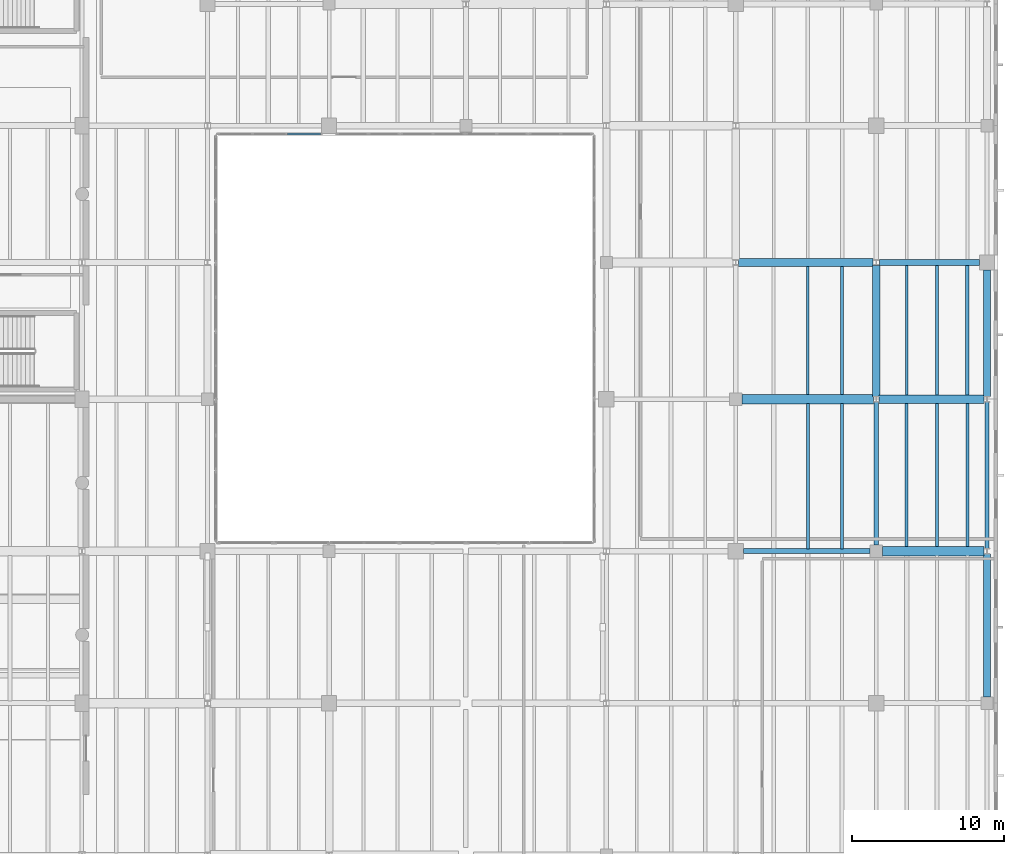
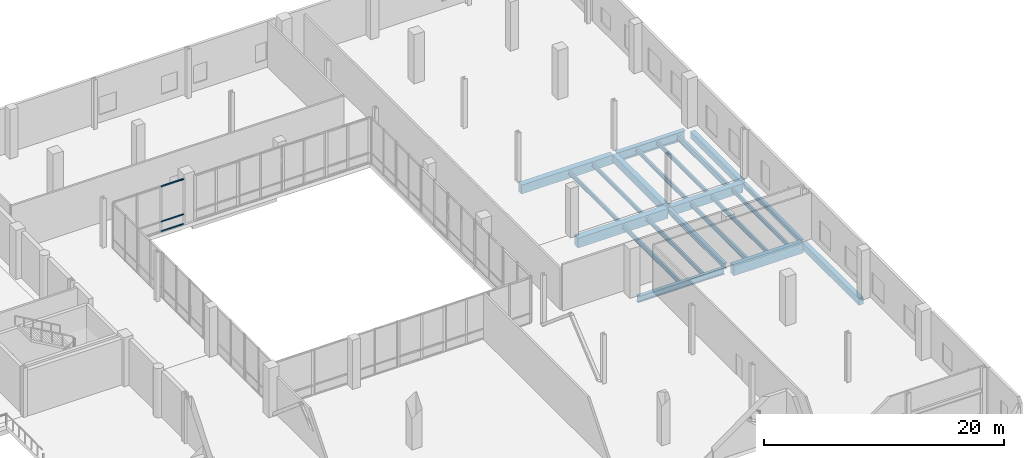
# One storey, part 56 of 88: 21 beams, 3 members, 1 element without a shape of its own.
"""IFC4 building model written with IfcOpenShell, lengths in metres."""

from ifc_helpers import new_model, si_unit, direction, frame, origin, origin_2d, place, context, subcontext, project, spatial, rectangle, i_section, extrude, material, material_profile, profile_set, type_object, element, aggregate, save


model = new_model("IFC4")

# Units and contexts
model_context = context("Model", 3, precision=1e-05, world=origin(), true_north=direction((0.0, 1.0)))
body_context = subcontext(model_context, "Body", "Model", "MODEL_VIEW")
ifc_project = project(units=[si_unit("LENGTHUNIT", "METRE"), si_unit("AREAUNIT", "SQUARE_METRE"), si_unit("VOLUMEUNIT", "CUBIC_METRE"), si_unit("PLANEANGLEUNIT", "RADIAN"), si_unit("MASSUNIT", "GRAM", prefix="KILO")], contexts=[model_context])

# Site, building, storey
site_placement = place(None, origin())
site = spatial("IfcSite", under=ifc_project, at=site_placement, CompositionType="ELEMENT")
building_placement = place(site_placement, origin())
building = spatial("IfcBuilding", under=site, at=building_placement, Name="Trimount Lyric Opera House", CompositionType="ELEMENT")
storey_placement = place(building_placement, origin())
storey = spatial("IfcBuildingStorey", under=building, at=storey_placement, Name="L00", CompositionType="ELEMENT", Elevation=0.0)

# Beams
ifc_material_1 = material(Name="Steel ASTM A992 Grade 50", Category="steel")
ifc_material_profile_1 = material_profile(ifc_material_1, i_section(OverallWidth=0.4189453125, OverallDepth=0.927001953125, WebThickness=0.019287109375, FlangeThickness=0.031982421875, FilletRadius=0.02392578125, at=origin_2d()), Name="W36X231")
ifc_profile_set_1 = profile_set([ifc_material_profile_1], Name="Steel ASTM A992 Grade 50")
beam_type_1 = type_object("IfcBeamType", Name="B-02", PredefinedType="BEAM", material=ifc_profile_set_1)
beam_1_placement = place(storey_placement, frame((166.199462890625, 93.0, -0.843505859375), z_axis=(1.0, 0.0, 0.0), x_axis=(0.0, 1.0, 0.0)))
element("IfcBeam", 1, at=beam_1_placement, inside=storey, type_object=beam_type_1, Name="L00 girder X-0185", PredefinedType="BEAM", context=body_context, shape_type="SweptSolid", body=[
    extrude(i_section(OverallWidth=0.4189453125, OverallDepth=0.927001953125, WebThickness=0.019287109375, FlangeThickness=0.031982421875, FilletRadius=0.02392578125, at=origin_2d()), origin(), (0.0, 0.0, 1.0), 6.58056640625),
])
ifc_material_2 = material(Name="Steel ASTM A992 Grade 50", Category="steel")
ifc_material_profile_2 = material_profile(ifc_material_2, i_section(OverallWidth=0.327880859375, OverallDepth=0.626953125, WebThickness=0.0166015625, FlangeThickness=0.027587890625, FilletRadius=0.01611328125, at=origin_2d()), Name="W24X146")
ifc_profile_set_2 = profile_set([ifc_material_profile_2], Name="Steel ASTM A992 Grade 50")
beam_type_2 = type_object("IfcBeamType", Name="B-10", PredefinedType="BEAM", material=ifc_profile_set_2)
beam_2_placement = place(storey_placement, frame((157.260009765625, 74.0, -0.693603515625), z_axis=(1.0, 0.0, 0.0), x_axis=(0.0, 1.0, 0.0)))
element("IfcBeam", 2, at=beam_2_placement, inside=storey, type_object=beam_type_2, Name="L00 girder X-0158", PredefinedType="BEAM", context=body_context, shape_type="SweptSolid", body=[
    extrude(i_section(OverallWidth=0.327880859375, OverallDepth=0.626953125, WebThickness=0.0166015625, FlangeThickness=0.027587890625, FilletRadius=0.01611328125, at=origin_2d()), origin(), (0.0, 0.0, 1.0), 8.340087890625),
])
ifc_material_3 = material(Name="Steel ASTM A992 Grade 50", Category="steel")
ifc_material_profile_3 = material_profile(ifc_material_3, i_section(OverallWidth=0.31201171875, OverallDepth=0.5458984375, WebThickness=0.013916015625, FlangeThickness=0.022216796875, FilletRadius=0.014892578125, at=origin_2d()), Name="W21X111")
ifc_profile_set_3 = profile_set([ifc_material_profile_3], Name="Steel ASTM A992 Grade 50")
beam_type_3 = type_object("IfcBeamType", Name="B-12", PredefinedType="BEAM", material=ifc_profile_set_3)
beam_3_placement = place(storey_placement, frame((166.0, 74.39990234375, -0.653076171875), z_axis=(0.0, 1.0, 0.0), x_axis=(-1.0, 0.0, 0.0)))
element("IfcBeam", 3, at=beam_3_placement, inside=storey, type_object=beam_type_3, Name="L00 girder Y-0447", PredefinedType="BEAM", context=body_context, shape_type="SweptSolid", body=[
    extrude(i_section(OverallWidth=0.31201171875, OverallDepth=0.5458984375, WebThickness=0.013916015625, FlangeThickness=0.022216796875, FilletRadius=0.014892578125, at=origin_2d()), origin(), (0.0, 0.0, 1.0), 9.416015625),
])
ifc_material_4 = material(Name="Concrete C40/50", Category="concrete")
ifc_material_profile_4 = material_profile(ifc_material_4, rectangle(XDim=0.60009765625, YDim=1.0, at=origin_2d()), Name="RC600X1000")
ifc_profile_set_4 = profile_set([ifc_material_profile_4], Name="Concrete C40/50")
beam_type_4 = type_object("IfcBeamType", Name="B-13", PredefinedType="BEAM", material=ifc_profile_set_4)
beam_4_placement = place(storey_placement, frame((166.39990234375, 74.0, -0.8798828125), z_axis=(1.0, 0.0, 0.0), x_axis=(0.0, 1.0, 0.0)))
element("IfcBeam", 4, at=beam_4_placement, inside=storey, type_object=beam_type_4, Name="L00 girder X-0159", PredefinedType="BEAM", context=body_context, shape_type="SweptSolid", body=[
    extrude(rectangle(XDim=0.60009765625, YDim=1.0, at=origin_2d()), origin(), (0.0, 0.0, 1.0), 6.693603515625),
])
beam_5_placement = place(storey_placement, frame((157.159912109375, 84.0, -0.8798828125), z_axis=(1.0, 0.0, 0.0), x_axis=(0.0, 1.0, 0.0)))
element("IfcBeam", 5, at=beam_5_placement, inside=storey, type_object=beam_type_4, Name="L00 girder X-0171", PredefinedType="BEAM", context=body_context, shape_type="SweptSolid", body=[
    extrude(rectangle(XDim=0.60009765625, YDim=1.0, at=origin_2d()), origin(), (0.0, 0.0, 1.0), 8.653564453125),
])
ifc_material_5 = material(Name="Concrete C40/50", Category="concrete")
ifc_material_profile_5 = material_profile(ifc_material_5, rectangle(XDim=0.550048828125, YDim=0.89990234375, at=origin_2d()), Name="RC550X900")
ifc_profile_set_5 = profile_set([ifc_material_profile_5], Name="Concrete C40/50")
beam_type_5 = type_object("IfcBeamType", Name="B-14", PredefinedType="BEAM", material=ifc_profile_set_5)
beam_6_placement = place(storey_placement, frame((166.1865234375, 84.0, -0.830078125), z_axis=(1.0, 0.0, 0.0), x_axis=(0.0, 1.0, 0.0)))
element("IfcBeam", 6, at=beam_6_placement, inside=storey, type_object=beam_type_5, Name="L00 girder X-0172", PredefinedType="BEAM", context=body_context, shape_type="SweptSolid", body=[
    extrude(rectangle(XDim=0.550048828125, YDim=0.89990234375, at=origin_2d()), origin(), (0.0, 0.0, 1.0), 6.89404296875),
])
beam_7_placement = place(storey_placement, frame((156.946533203125, 93.0, -0.830078125), z_axis=(1.0, 0.0, 0.0), x_axis=(0.0, 1.0, 0.0)))
element("IfcBeam", 7, at=beam_7_placement, inside=storey, type_object=beam_type_5, Name="L00 girder X-0184", PredefinedType="BEAM", context=body_context, shape_type="SweptSolid", body=[
    extrude(rectangle(XDim=0.550048828125, YDim=0.89990234375, at=origin_2d()), origin(), (0.0, 0.0, 1.0), 8.85400390625),
])
ifc_material_6 = material(Name="Concrete C40/50", Category="concrete")
ifc_material_profile_6 = material_profile(ifc_material_6, rectangle(XDim=0.5, YDim=0.800048828125, at=origin_2d()), Name="RC500X800")
ifc_profile_set_6 = profile_set([ifc_material_profile_6], Name="Concrete C40/50")
beam_type_6 = type_object("IfcBeamType", Name="B-15", PredefinedType="BEAM", material=ifc_profile_set_6)
beam_8_placement = place(storey_placement, frame((166.0, 84.18408203125, -0.780029296875), z_axis=(0.0, 1.0, 0.0), x_axis=(-1.0, 0.0, 0.0)))
element("IfcBeam", 8, at=beam_8_placement, inside=storey, type_object=beam_type_6, Name="L00 girder Y-0448", PredefinedType="BEAM", context=body_context, shape_type="SweptSolid", body=[
    extrude(rectangle(XDim=0.5, YDim=0.800048828125, at=origin_2d()), origin(), (0.0, 0.0, 1.0), 8.622802734375),
])
ifc_material_7 = material(Name="Steel ASTM A992 Grade 50", Category="steel")
ifc_material_profile_7 = material_profile(ifc_material_7, i_section(OverallWidth=0.22802734375, OverallDepth=0.60205078125, WebThickness=0.010498046875, FlangeThickness=0.014892578125, FilletRadius=0.012939453125, at=origin_2d()), Name="W24X68")
ifc_profile_set_7 = profile_set([ifc_material_profile_7], Name="Steel ASTM A992 Grade 50")
beam_type_7 = type_object("IfcBeamType", Name="J-01", PredefinedType="BEAM", material=ifc_profile_set_7)
beam_9_placement = place(storey_placement, frame((172.0, 84.27099609375, -0.680908203125), z_axis=(0.0, 1.0, 0.0), x_axis=(-1.0, 0.0, 0.0)))
element("IfcBeam", 9, at=beam_9_placement, inside=storey, type_object=beam_type_7, Name="L00 composite floor joist 0562", PredefinedType="BEAM", context=body_context, shape_type="SweptSolid", body=[
    extrude(i_section(OverallWidth=0.22802734375, OverallDepth=0.60205078125, WebThickness=0.010498046875, FlangeThickness=0.014892578125, FilletRadius=0.012939453125, at=origin_2d()), origin(), (0.0, 0.0, 1.0), 8.5234375),
])
ifc_material_8 = material(Name="Steel ASTM A992 Grade 50", Category="steel")
ifc_material_profile_8 = material_profile(ifc_material_8, i_section(OverallWidth=0.19091796875, OverallDepth=0.45703125, WebThickness=0.009033203125, FlangeThickness=0.014404296875, FilletRadius=0.010986328125, at=origin_2d()), Name="W18X50")
ifc_profile_set_8 = profile_set([ifc_material_profile_8], Name="Steel ASTM A992 Grade 50")
beam_type_8 = type_object("IfcBeamType", Name="J-04", PredefinedType="BEAM", material=ifc_profile_set_8)
beam_10_placement = place(storey_placement, frame((161.5, 74.159912109375, -0.6083984375), z_axis=(0.0, 1.0, 0.0), x_axis=(-1.0, 0.0, 0.0)))
element("IfcBeam", 10, at=beam_10_placement, inside=storey, type_object=beam_type_8, Name="L00 composite floor joist 0519", PredefinedType="BEAM", context=body_context, shape_type="SweptSolid", body=[
    extrude(i_section(OverallWidth=0.19091796875, OverallDepth=0.45703125, WebThickness=0.009033203125, FlangeThickness=0.014404296875, FilletRadius=0.010986328125, at=origin_2d()), origin(), (0.0, 0.0, 1.0), 9.544189453125),
])
beam_11_placement = place(storey_placement, frame((168.0, 74.2958984375, -0.6083984375), z_axis=(0.0, 1.0, 0.0), x_axis=(-1.0, 0.0, 0.0)))
element("IfcBeam", 11, at=beam_11_placement, inside=storey, type_object=beam_type_8, Name="L00 composite floor joist 0557", PredefinedType="BEAM", context=body_context, shape_type="SweptSolid", body=[
    extrude(i_section(OverallWidth=0.19091796875, OverallDepth=0.45703125, WebThickness=0.009033203125, FlangeThickness=0.014404296875, FilletRadius=0.010986328125, at=origin_2d()), origin(), (0.0, 0.0, 1.0), 9.43310546875),
])
ifc_material_9 = material(Name="Steel ASTM A992 Grade 50", Category="steel")
ifc_material_profile_9 = material_profile(ifc_material_9, i_section(OverallWidth=0.180908203125, OverallDepth=0.4169921875, WebThickness=0.010986328125, FlangeThickness=0.018310546875, FilletRadius=0.010986328125, at=origin_2d()), Name="W16X57")
ifc_profile_set_9 = profile_set([ifc_material_profile_9], Name="Steel ASTM A992 Grade 50")
beam_type_9 = type_object("IfcBeamType", Name="J-05", PredefinedType="BEAM", material=ifc_profile_set_9)
beam_12_placement = place(storey_placement, frame((163.75, 74.159912109375, -0.58837890625), z_axis=(0.0, 1.0, 0.0), x_axis=(-1.0, 0.0, 0.0)))
element("IfcBeam", 12, at=beam_12_placement, inside=storey, type_object=beam_type_9, Name="L00 composite floor joist 0520", PredefinedType="BEAM", context=body_context, shape_type="SweptSolid", body=[
    extrude(i_section(OverallWidth=0.180908203125, OverallDepth=0.4169921875, WebThickness=0.010986328125, FlangeThickness=0.018310546875, FilletRadius=0.010986328125, at=origin_2d()), origin(), (0.0, 0.0, 1.0), 9.544189453125),
])
beam_13_placement = place(storey_placement, frame((161.5, 84.2958984375, -0.58837890625), z_axis=(0.0, 1.0, 0.0), x_axis=(-1.0, 0.0, 0.0)))
element("IfcBeam", 13, at=beam_13_placement, inside=storey, type_object=beam_type_9, Name="L00 composite floor joist 0522", PredefinedType="BEAM", context=body_context, shape_type="SweptSolid", body=[
    extrude(i_section(OverallWidth=0.180908203125, OverallDepth=0.4169921875, WebThickness=0.010986328125, FlangeThickness=0.018310546875, FilletRadius=0.010986328125, at=origin_2d()), origin(), (0.0, 0.0, 1.0), 8.43310546875),
])
beam_14_placement = place(storey_placement, frame((170.0, 74.2958984375, -0.58837890625), z_axis=(0.0, 1.0, 0.0), x_axis=(-1.0, 0.0, 0.0)))
element("IfcBeam", 14, at=beam_14_placement, inside=storey, type_object=beam_type_9, Name="L00 composite floor joist 0558", PredefinedType="BEAM", context=body_context, shape_type="SweptSolid", body=[
    extrude(i_section(OverallWidth=0.180908203125, OverallDepth=0.4169921875, WebThickness=0.010986328125, FlangeThickness=0.018310546875, FilletRadius=0.010986328125, at=origin_2d()), origin(), (0.0, 0.0, 1.0), 9.43310546875),
])
beam_15_placement = place(storey_placement, frame((168.0, 84.27099609375, -0.58837890625), z_axis=(0.0, 1.0, 0.0), x_axis=(-1.0, 0.0, 0.0)))
element("IfcBeam", 15, at=beam_15_placement, inside=storey, type_object=beam_type_9, Name="L00 composite floor joist 0560", PredefinedType="BEAM", context=body_context, shape_type="SweptSolid", body=[
    extrude(i_section(OverallWidth=0.180908203125, OverallDepth=0.4169921875, WebThickness=0.010986328125, FlangeThickness=0.018310546875, FilletRadius=0.010986328125, at=origin_2d()), origin(), (0.0, 0.0, 1.0), 8.5234375),
])
ifc_material_10 = material(Name="Steel ASTM A992 Grade 50", Category="steel")
ifc_material_profile_10 = material_profile(ifc_material_10, i_section(OverallWidth=0.177978515625, OverallDepth=0.404052734375, WebThickness=0.007568359375, FlangeThickness=0.010986328125, FilletRadius=0.010009765625, at=origin_2d()), Name="W16X36")
ifc_profile_set_10 = profile_set([ifc_material_profile_10], Name="Steel ASTM A992 Grade 50")
beam_type_10 = type_object("IfcBeamType", Name="J-06", PredefinedType="BEAM", material=ifc_profile_set_10)
beam_16_placement = place(storey_placement, frame((163.75, 84.2958984375, -0.58203125), z_axis=(0.0, 1.0, 0.0), x_axis=(-1.0, 0.0, 0.0)))
element("IfcBeam", 16, at=beam_16_placement, inside=storey, type_object=beam_type_10, Name="L00 composite floor joist 0523", PredefinedType="BEAM", context=body_context, shape_type="SweptSolid", body=[
    extrude(i_section(OverallWidth=0.177978515625, OverallDepth=0.404052734375, WebThickness=0.007568359375, FlangeThickness=0.010986328125, FilletRadius=0.010009765625, at=origin_2d()), origin(), (0.0, 0.0, 1.0), 8.43310546875),
])
beam_17_placement = place(storey_placement, frame((172.0, 74.2958984375, -0.58203125), z_axis=(0.0, 1.0, 0.0), x_axis=(-1.0, 0.0, 0.0)))
element("IfcBeam", 17, at=beam_17_placement, inside=storey, type_object=beam_type_10, Name="L00 composite floor joist 0559", PredefinedType="BEAM", context=body_context, shape_type="SweptSolid", body=[
    extrude(i_section(OverallWidth=0.177978515625, OverallDepth=0.404052734375, WebThickness=0.007568359375, FlangeThickness=0.010986328125, FilletRadius=0.010009765625, at=origin_2d()), origin(), (0.0, 0.0, 1.0), 9.43310546875),
])
beam_18_placement = place(storey_placement, frame((170.0, 84.27099609375, -0.58203125), z_axis=(0.0, 1.0, 0.0), x_axis=(-1.0, 0.0, 0.0)))
element("IfcBeam", 18, at=beam_18_placement, inside=storey, type_object=beam_type_10, Name="L00 composite floor joist 0561", PredefinedType="BEAM", context=body_context, shape_type="SweptSolid", body=[
    extrude(i_section(OverallWidth=0.177978515625, OverallDepth=0.404052734375, WebThickness=0.007568359375, FlangeThickness=0.010986328125, FilletRadius=0.010009765625, at=origin_2d()), origin(), (0.0, 0.0, 1.0), 8.5234375),
])
ifc_material_11 = material(Name="Steel ASTM A992 Grade 50", Category="steel")
ifc_material_profile_11 = material_profile(ifc_material_11, i_section(OverallWidth=0.281982421875, OverallDepth=0.467041015625, WebThickness=0.01220703125, FlangeThickness=0.01953125, FilletRadius=0.012939453125, at=origin_2d()), Name="W18X86")
ifc_profile_set_11 = profile_set([ifc_material_profile_11], Name="Steel ASTM A992 Grade 50")
beam_type_11 = type_object("IfcBeamType", Name="SP-01", PredefinedType="SPANDREL", material=ifc_profile_set_11)
beam_19_placement = place(storey_placement, frame((173.280029296875, 74.18408203125, -0.613525390625), z_axis=(0.0, 1.0, 0.0), x_axis=(-1.0, 0.0, 0.0)))
element("IfcBeam", 19, at=beam_19_placement, inside=storey, type_object=beam_type_11, Name="L00 girder Y-0460", PredefinedType="SPANDREL", context=body_context, shape_type="SweptSolid", body=[
    extrude(i_section(OverallWidth=0.281982421875, OverallDepth=0.467041015625, WebThickness=0.01220703125, FlangeThickness=0.01953125, FilletRadius=0.012939453125, at=origin_2d()), origin(), (0.0, 0.0, 1.0), 9.622802734375),
])
ifc_material_12 = material(Name="Concrete C40/50", Category="concrete")
ifc_material_profile_12 = material_profile(ifc_material_12, rectangle(XDim=0.449951171875, YDim=0.699951171875, at=origin_2d()), Name="RC450X700")
ifc_profile_set_12 = profile_set([ifc_material_profile_12], Name="Concrete C40/50")
beam_type_12 = type_object("IfcBeamType", Name="SP-02", PredefinedType="SPANDREL", material=ifc_profile_set_12)
beam_20_placement = place(storey_placement, frame((173.280029296875, 64.39990234375, -0.72998046875), z_axis=(0.0, 1.0, 0.0), x_axis=(-1.0, 0.0, 0.0)))
element("IfcBeam", 20, at=beam_20_placement, inside=storey, type_object=beam_type_12, Name="L00 girder Y-0459", PredefinedType="SPANDREL", context=body_context, shape_type="SweptSolid", body=[
    extrude(rectangle(XDim=0.449951171875, YDim=0.699951171875, at=origin_2d()), origin(), (0.0, 0.0, 1.0), 9.416015625),
])
beam_21_placement = place(storey_placement, frame((173.280029296875, 84.193115234375, -0.72998046875), z_axis=(0.0, 1.0, 0.0), x_axis=(-1.0, 0.0, 0.0)))
element("IfcBeam", 21, at=beam_21_placement, inside=storey, type_object=beam_type_12, Name="L00 girder Y-0461", PredefinedType="SPANDREL", context=body_context, shape_type="SweptSolid", body=[
    extrude(rectangle(XDim=0.449951171875, YDim=0.699951171875, at=origin_2d()), origin(), (0.0, 0.0, 1.0), 8.306884765625),
])

# Curtain wall, members
ifc_material_13 = material(Name="Thermally Broken Aluminium and Low-E Glass", Category="aluminium")
curtain_wall_type = type_object("IfcCurtainWallType", Name="CW-03", PredefinedType="NOTDEFINED", material=ifc_material_13)
curtain_wall_placement = place(storey_placement, origin())
curtain_wall = element("IfcCurtainWall", 22, at=curtain_wall_placement, inside=storey, type_object=curtain_wall_type, Name="L00 curtain wall 052", PredefinedType="NOTDEFINED")
ifc_material_14 = material(Name="Anodised Aluminium 6063-T6", Category="aluminium")
ifc_material_profile_13 = material_profile(ifc_material_14, rectangle(XDim=0.135009765625, YDim=0.06494140625, at=origin_2d()), Name="ALU-TRAN-65X135")
ifc_profile_set_13 = profile_set([ifc_material_profile_13], Name="Anodised Aluminium 6063-T6")
member_type = type_object("IfcMemberType", Name="TR-02", PredefinedType="USERDEFINED", material=ifc_profile_set_13)
member_1_placement = place(storey_placement, frame((129.43505859375, 101.4599609375, 0.0673828125), z_axis=(-1.0, 0.0, 0.0), x_axis=(0.0, -1.0, 0.0)))
member_1 = element("IfcMember", 23, at=member_1_placement, type_object=member_type, Name="CW-03 transom 1.1", ObjectType="TRANSOM", PredefinedType="USERDEFINED", context=body_context, shape_type="SweptSolid", body=[
    extrude(rectangle(XDim=0.135009765625, YDim=0.06494140625, at=origin_2d()), origin(), (0.0, 0.0, 1.0), 2.17578125),
])
member_2_placement = place(storey_placement, frame((129.43505859375, 101.4599609375, 1.050048828125), z_axis=(-1.0, 0.0, 0.0), x_axis=(0.0, -1.0, 0.0)))
member_2 = element("IfcMember", 24, at=member_2_placement, type_object=member_type, Name="CW-03 transom 1.2", ObjectType="TRANSOM", PredefinedType="USERDEFINED", context=body_context, shape_type="SweptSolid", body=[
    extrude(rectangle(XDim=0.135009765625, YDim=0.06494140625, at=origin_2d()), origin(), (0.0, 0.0, 1.0), 2.17578125),
])
member_3_placement = place(storey_placement, frame((129.43505859375, 101.4599609375, 4.62255859375), z_axis=(-1.0, 0.0, 0.0), x_axis=(0.0, -1.0, 0.0)))
member_3 = element("IfcMember", 25, at=member_3_placement, type_object=member_type, Name="CW-03 transom 1.3", ObjectType="TRANSOM", PredefinedType="USERDEFINED", context=body_context, shape_type="SweptSolid", body=[
    extrude(rectangle(XDim=0.135009765625, YDim=0.06494140625, at=origin_2d()), origin(), (0.0, 0.0, 1.0), 2.17578125),
])
aggregate(curtain_wall, [member_1, member_2, member_3])

save(model, "model.ifc")
